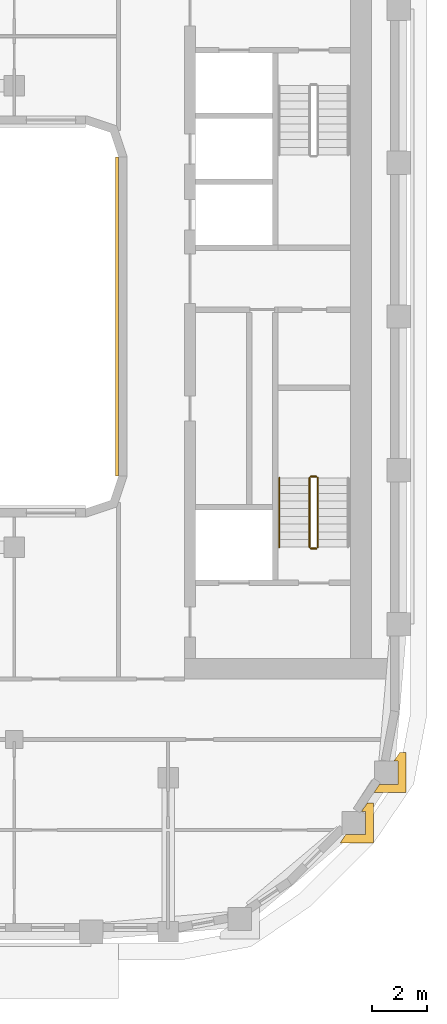
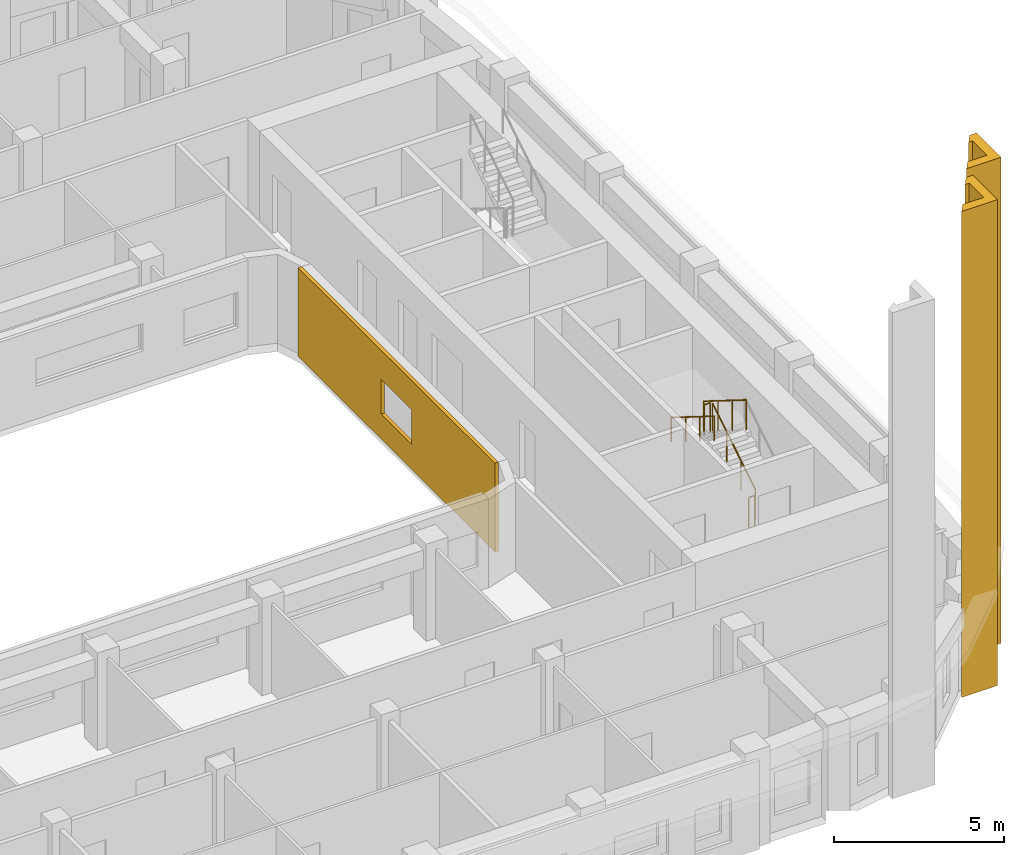
# One storey, part 16 of 21: 5 railings, 3 coverings.
"""IFC4 building model written with IfcOpenShell, lengths in metres."""

from ifc_helpers import new_model, si_unit, direction, frame, origin, origin_2d, place, context, subcontext, project, spatial, polyline, circle, outline, extrude, material, layer, layer_set, type_object, element, save


model = new_model("IFC4")

# Units and contexts
model_context = context("Model", 3, precision=1e-05, world=origin(), true_north=direction((0.0, 1.0)))
body_context = subcontext(model_context, "Body", "Model", "MODEL_VIEW")
ifc_project = project(units=[si_unit("LENGTHUNIT", "METRE"), si_unit("AREAUNIT", "SQUARE_METRE"), si_unit("VOLUMEUNIT", "CUBIC_METRE"), si_unit("PLANEANGLEUNIT", "RADIAN"), si_unit("MASSUNIT", "GRAM", prefix="KILO")], contexts=[model_context])

# Site, building, storey
site_placement = place(None, origin())
site = spatial("IfcSite", under=ifc_project, at=site_placement, CompositionType="ELEMENT")
building_placement = place(site_placement, origin())
building = spatial("IfcBuilding", under=site, at=building_placement, Name="Kiln Ring Residences", CompositionType="ELEMENT")
storey_placement = place(building_placement, frame((0.0, 0.0, 213.39990234375)))
storey = spatial("IfcBuildingStorey", under=building, at=storey_placement, Name="L55", CompositionType="ELEMENT", Elevation=213.39990234375)

# Railings
ifc_material_1 = material(Name="Stainless steel", Category="steel")
railing_type_1 = type_object("IfcRailingType", Name="CORE-STAIR-GUARD", PredefinedType="GUARDRAIL", material=ifc_material_1)
railing_1_placement = place(storey_placement, frame((22.25, -8.39990234375, 0.175048828125)))
element("IfcRailing", 1, at=railing_1_placement, inside=storey, type_object=railing_type_1, Name="L55 E-STS stair guard 1", PredefinedType="GUARDRAIL", context=body_context, shape_type="SweptSolid", body=[
    extrude(circle(Radius=0.02392578125, at=origin_2d()), frame((0.0, 0.0, 1.076171875), z_axis=(0.0, 0.848007534815, 0.529984170421), x_axis=(-1.0, 0.0, 0.0)), (0.0, 0.0, 1.0), 2.9716796875),
    extrude(circle(Radius=0.02099609375, at=origin_2d()), origin(), (0.0, 0.0, 1.0), 1.052001953125),
    extrude(circle(Radius=0.02099609375, at=origin_2d()), frame((0.0, 0.840087890625, 0.52490234375)), (0.0, 0.0, 1.0), 1.052001953125),
    extrude(circle(Radius=0.02099609375, at=origin_2d()), frame((0.0, 1.679931640625, 1.050048828125)), (0.0, 0.0, 1.0), 1.052001953125),
    extrude(circle(Radius=0.02099609375, at=origin_2d()), frame((0.0, 2.52001953125, 1.574951171875)), (0.0, 0.0, 1.0), 1.052001953125),
])
railing_2_placement = place(storey_placement, frame((22.199951171875, -5.830078125, 1.75)))
element("IfcRailing", 2, at=railing_2_placement, inside=storey, type_object=railing_type_1, Name="L55 E-STS stair guard 2", PredefinedType="GUARDRAIL", context=body_context, shape_type="SweptSolid", body=[
    extrude(circle(Radius=0.02392578125, at=origin_2d()), frame((0.0, 0.0, 1.076171875), z_axis=(-1.0, 0.0, 0.0), x_axis=(0.0, -1.0, 0.0)), (0.0, 0.0, 1.0), 0.199951171875),
    extrude(circle(Radius=0.02099609375, at=origin_2d()), origin(), (0.0, 0.0, 1.0), 1.052001953125),
    extrude(circle(Radius=0.02099609375, at=origin_2d()), frame((-0.199951171875, 0.0, 0.0)), (0.0, 0.0, 1.0), 1.052001953125),
])
railing_3_placement = place(storey_placement, frame((21.949951171875, -5.8798828125, 1.925048828125)))
element("IfcRailing", 3, at=railing_3_placement, inside=storey, type_object=railing_type_1, Name="L55 E-STS stair guard 3", PredefinedType="GUARDRAIL", context=body_context, shape_type="SweptSolid", body=[
    extrude(circle(Radius=0.02392578125, at=origin_2d()), frame((0.0, 0.0, 1.076171875), z_axis=(0.0, -0.848007534815, 0.529984170421), x_axis=(1.0, 0.0, 0.0)), (0.0, 0.0, 1.0), 2.9716796875),
    extrude(circle(Radius=0.02099609375, at=origin_2d()), origin(), (0.0, 0.0, 1.0), 1.052001953125),
    extrude(circle(Radius=0.02099609375, at=origin_2d()), frame((0.0, -0.840087890625, 0.52490234375)), (0.0, 0.0, 1.0), 1.052001953125),
    extrude(circle(Radius=0.02099609375, at=origin_2d()), frame((0.0, -1.679931640625, 1.050048828125)), (0.0, 0.0, 1.0), 1.052001953125),
    extrude(circle(Radius=0.02099609375, at=origin_2d()), frame((0.0, -2.52001953125, 1.574951171875)), (0.0, 0.0, 1.0), 1.052001953125),
])
railing_4_placement = place(storey_placement, frame((22.199951171875, -8.449951171875, 0.0)))
element("IfcRailing", 4, at=railing_4_placement, inside=storey, type_object=railing_type_1, Name="L55 E-STS stair guard 4", PredefinedType="GUARDRAIL", context=body_context, shape_type="SweptSolid", body=[
    extrude(circle(Radius=0.02392578125, at=origin_2d()), frame((0.0, 0.0, 1.076171875), z_axis=(-1.0, 0.0, 0.0), x_axis=(0.0, -1.0, 0.0)), (0.0, 0.0, 1.0), 0.199951171875),
    extrude(circle(Radius=0.02099609375, at=origin_2d()), origin(), (0.0, 0.0, 1.0), 1.052001953125),
    extrude(circle(Radius=0.02099609375, at=origin_2d()), frame((-0.199951171875, 0.0, 0.0)), (0.0, 0.0, 1.0), 1.052001953125),
])
ifc_material_2 = material(Name="Stainless steel", Category="steel")
railing_type_2 = type_object("IfcRailingType", Name="CORE-STAIR-HANDRAIL", PredefinedType="HANDRAIL", material=ifc_material_2)
railing_5_placement = place(storey_placement, frame((20.85009765625, -5.8798828125, 1.925048828125)))
element("IfcRailing", 5, at=railing_5_placement, inside=storey, type_object=railing_type_2, Name="L55 E-STS stair handrail 2", PredefinedType="HANDRAIL", context=body_context, shape_type="SweptSolid", body=[
    extrude(circle(Radius=0.02392578125, at=origin_2d()), frame((0.0, 0.0, 0.8759765625), z_axis=(0.0, -0.848007534815, 0.529984170421), x_axis=(1.0, 0.0, 0.0)), (0.0, 0.0, 1.0), 2.9716796875),
    extrude(circle(Radius=0.02099609375, at=origin_2d()), origin(), (0.0, 0.0, 1.0), 0.851806640625),
    extrude(circle(Radius=0.02099609375, at=origin_2d()), frame((0.0, -0.840087890625, 0.52490234375)), (0.0, 0.0, 1.0), 0.851806640625),
    extrude(circle(Radius=0.02099609375, at=origin_2d()), frame((0.0, -1.679931640625, 1.050048828125)), (0.0, 0.0, 1.0), 0.851806640625),
    extrude(circle(Radius=0.02099609375, at=origin_2d()), frame((0.0, -2.52001953125, 1.574951171875)), (0.0, 0.0, 1.0), 0.851806640625),
])

# Coverings
ifc_material_3 = material(Name="Brick masonry, dark clay brick", Category="masonry")
ifc_layer_1 = layer(ifc_material_3, 0.300048828125)
ifc_layer_set_1 = layer_set([ifc_layer_1], Name="PIER CLADDING 300")
covering_type_1 = type_object("IfcCoveringType", Name="PIER CLADDING 300", PredefinedType="CLADDING", material=ifc_layer_set_1)
placement = place(storey_placement, origin())
element("IfcCovering", 6, at=placement, inside=storey, type_object=covering_type_1, Name="PIER CLADDING L55-L59", PredefinedType="CLADDING", context=body_context, shape_type="SweptSolid", body=[
    extrude(outline(polyline([(24.284912109375, -19.165283203125), (24.284912109375, -17.715087890625), (24.052490234375, -17.715087890625), (23.8486328125, -18.01513671875), (23.98486328125, -18.01513671875), (23.98486328125, -18.865234375), (23.27099609375, -18.865234375), (23.067138671875, -19.165283203125), (24.284912109375, -19.165283203125)])), origin(), (0.0, 0.0, 1.0), 17.5),
])
element("IfcCovering", 7, at=placement, inside=storey, type_object=covering_type_1, Name="PIER CLADDING L55-L59", PredefinedType="CLADDING", context=body_context, shape_type="SweptSolid", body=[
    extrude(outline(polyline([(25.463134765625, -17.333740234375), (25.463134765625, -15.8837890625), (25.230712890625, -15.8837890625), (25.02685546875, -16.18359375), (25.1630859375, -16.18359375), (25.1630859375, -17.03369140625), (24.497314453125, -17.03369140625), (24.29345703125, -17.333740234375), (25.463134765625, -17.333740234375)])), origin(), (0.0, 0.0, 1.0), 17.5),
])
ifc_material_4 = material(Name="Brick masonry, dark clay brick", Category="masonry")
ifc_layer_2 = layer(ifc_material_4, 0.1201171875)
ifc_layer_set_2 = layer_set([ifc_layer_2], Name="RAINSCREEN PANEL 120")
covering_type_2 = type_object("IfcCoveringType", Name="RAINSCREEN PANEL 120", PredefinedType="CLADDING", material=ifc_layer_set_2)
covering_3_placement = place(storey_placement, frame((14.93994140625, 5.800048828125, 0.0), z_axis=(0.0, 0.0, 1.0), x_axis=(0.0, -1.0, 0.0)))
element("IfcCovering", 8, at=covering_3_placement, inside=storey, type_object=covering_type_2, Name="RAINSCREEN L55", PredefinedType="CLADDING", context=body_context, shape_type="SweptSolid", body=[
    extrude(outline(polyline([(0.0, 0.0), (11.60009765625, 0.0), (11.60009765625, 3.2001953125), (0.0, 3.2001953125), (0.0, 0.0)]), holes=[polyline([(4.89990234375, 2.150146484375), (4.89990234375, 0.900146484375), (6.699951171875, 0.900146484375), (6.699951171875, 2.150146484375), (4.89990234375, 2.150146484375)])]), frame((0.0, 0.06005859375, 0.0), z_axis=(0.0, -1.0, 0.0), x_axis=(1.0, 0.0, 0.0)), (0.0, 0.0, 1.0), 0.1201171875),
])

save(model, "model.ifc")
